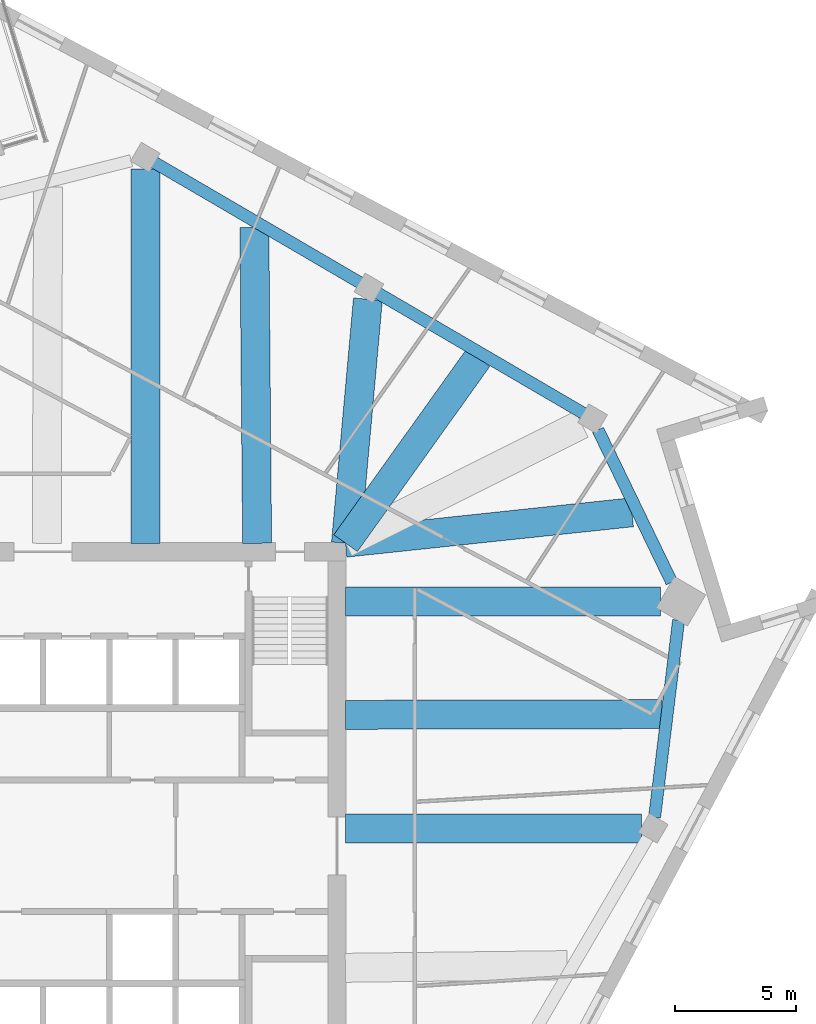
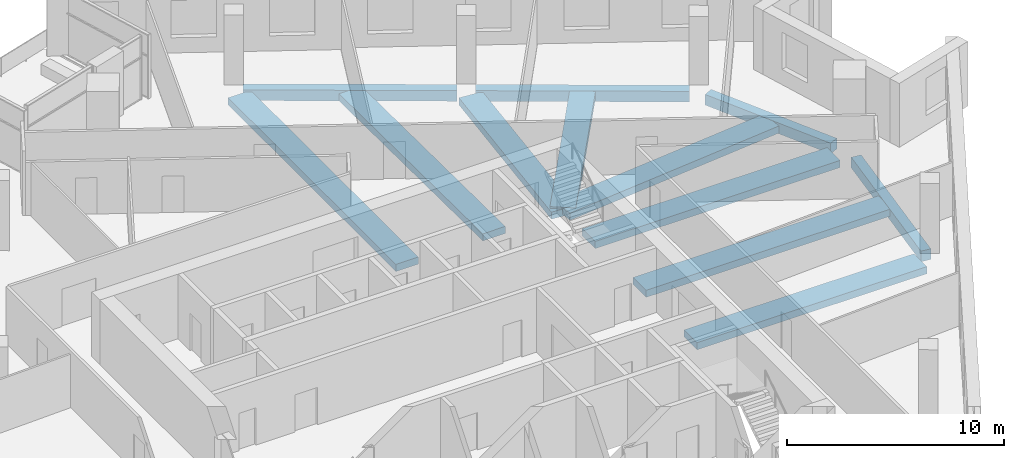
# One storey, part 3 of 13: 12 beams.
"""IFC4 building model written with IfcOpenShell, lengths in metres."""

from ifc_helpers import new_model, si_unit, direction, frame, origin, origin_2d, place, context, subcontext, project, spatial, rectangle, extrude, material, material_profile, profile_set, type_object, element, save


model = new_model("IFC4")

# Units and contexts
model_context = context("Model", 3, precision=1e-05, world=origin(), true_north=direction((0.0, 1.0)))
body_context = subcontext(model_context, "Body", "Model", "MODEL_VIEW")
ifc_project = project(units=[si_unit("LENGTHUNIT", "METRE"), si_unit("AREAUNIT", "SQUARE_METRE"), si_unit("VOLUMEUNIT", "CUBIC_METRE"), si_unit("PLANEANGLEUNIT", "RADIAN"), si_unit("MASSUNIT", "GRAM", prefix="KILO")], contexts=[model_context])

# Site, building, storey
site_placement = place(None, origin())
site = spatial("IfcSite", under=ifc_project, at=site_placement, CompositionType="ELEMENT")
building_placement = place(site_placement, origin())
building = spatial("IfcBuilding", under=site, at=building_placement, Name="Dilmun Exchange Tower", CompositionType="ELEMENT")
storey_placement = place(building_placement, frame((0.0, 0.0, 278.89990234375)))
storey = spatial("IfcBuildingStorey", under=building, at=storey_placement, Name="L66", CompositionType="ELEMENT", Elevation=278.89990234375)

# Beams
ifc_material = material(Name="Concrete C40/50", Category="concrete")
ifc_material_profile_1 = material_profile(ifc_material, rectangle(XDim=1.199951171875, YDim=0.39990234375, at=origin_2d()), Name="1200 x 400")
ifc_profile_set_1 = profile_set([ifc_material_profile_1], Name="Concrete C40/50")
beam_type_1 = type_object("IfcBeamType", Name="RC band beam 1200 x 400 C40/50", PredefinedType="BEAM", material=ifc_profile_set_1)
beam_1_placement = place(storey_placement, frame((24.773681640625, 0.721923828125, -0.659912109375), z_axis=(-1.0, 0.0, 0.0), x_axis=(0.0, -1.0, 0.0)))
element("IfcBeam", 1, at=beam_1_placement, inside=storey, type_object=beam_type_1, Name="Band beam 12", PredefinedType="BEAM", context=body_context, shape_type="SweptSolid", body=[
    extrude(rectangle(XDim=1.199951171875, YDim=0.39990234375, at=origin_2d()), origin(), (0.0, 0.0, 1.0), 12.250732421875),
])
beam_2_placement = place(storey_placement, frame((25.5732421875, 10.1220703125, -0.659912109375), z_axis=(-1.0, 0.0, 0.0), x_axis=(0.0, -1.0, 0.0)))
element("IfcBeam", 2, at=beam_2_placement, inside=storey, type_object=beam_type_1, Name="Band beam 13", PredefinedType="BEAM", context=body_context, shape_type="SweptSolid", body=[
    extrude(rectangle(XDim=1.199951171875, YDim=0.39990234375, at=origin_2d()), origin(), (0.0, 0.0, 1.0), 13.05029296875),
])
beam_3_placement = place(storey_placement, frame((13.456787109375, 22.625732421875, -0.659912109375), z_axis=(-0.089632924375, -0.995974868593, 0.0), x_axis=(0.995974868593, -0.089632924375, 0.0)))
element("IfcBeam", 3, at=beam_3_placement, inside=storey, type_object=beam_type_1, Name="Band beam 15", PredefinedType="BEAM", context=body_context, shape_type="SweptSolid", body=[
    extrude(rectangle(XDim=1.199951171875, YDim=0.39990234375, at=origin_2d()), origin(), (0.0, 0.0, 1.0), 10.143310546875),
])
beam_4_placement = place(storey_placement, frame((4.239990234375, 28.01171875, -0.659912109375), z_axis=(0.0, -1.0, 0.0), x_axis=(1.0, 0.0, 0.0)))
element("IfcBeam", 4, at=beam_4_placement, inside=storey, type_object=beam_type_1, Name="Band beam 16", PredefinedType="BEAM", context=body_context, shape_type="SweptSolid", body=[
    extrude(rectangle(XDim=1.199951171875, YDim=0.39990234375, at=origin_2d()), origin(), (0.0, 0.0, 1.0), 15.48876953125),
])
beam_5_placement = place(storey_placement, frame((25.6201171875, 5.448974609375, -0.559814453125), z_axis=(-0.999997897774, -0.002050474756, 0.0), x_axis=(0.002050474756, -0.999997897774, 0.0)))
element("IfcBeam", 5, at=beam_5_placement, inside=storey, type_object=beam_type_1, Name="Band beam 28", PredefinedType="BEAM", context=body_context, shape_type="SweptSolid", body=[
    extrude(rectangle(XDim=1.199951171875, YDim=0.39990234375, at=origin_2d()), origin(), (0.0, 0.0, 1.0), 13.09716796875),
])
beam_6_placement = place(storey_placement, frame((24.3857421875, 13.804931640625, -0.559814453125), z_axis=(-0.994425543871, -0.105441157505, 0.0), x_axis=(0.105441157505, -0.994425543871, 0.0)))
element("IfcBeam", 6, at=beam_6_placement, inside=storey, type_object=beam_type_1, Name="Band beam 29", PredefinedType="BEAM", context=body_context, shape_type="SweptSolid", body=[
    extrude(rectangle(XDim=1.199951171875, YDim=0.39990234375, at=origin_2d()), origin(), (0.0, 0.0, 1.0), 11.928955078125),
])
beam_7_placement = place(storey_placement, frame((18.01611328125, 20.195556640625, -0.559814453125), z_axis=(-0.581600762294, -0.81347437163, 0.0), x_axis=(0.81347437163, -0.581600762294, 0.0)))
element("IfcBeam", 7, at=beam_7_placement, inside=storey, type_object=beam_type_1, Name="Band beam 30", PredefinedType="BEAM", context=body_context, shape_type="SweptSolid", body=[
    extrude(rectangle(XDim=1.199951171875, YDim=0.39990234375, at=origin_2d()), origin(), (0.0, 0.0, 1.0), 9.425537109375),
])
beam_8_placement = place(storey_placement, frame((8.757080078125, 25.607421875, -0.559814453125), z_axis=(0.008582734208, -0.999963167658, 0.0), x_axis=(0.999963167658, 0.008582734208, 0.0)))
element("IfcBeam", 8, at=beam_8_placement, inside=storey, type_object=beam_type_1, Name="Band beam 31", PredefinedType="BEAM", context=body_context, shape_type="SweptSolid", body=[
    extrude(rectangle(XDim=1.199951171875, YDim=0.39990234375, at=origin_2d()), origin(), (0.0, 0.0, 1.0), 13.0849609375),
])
ifc_material_profile_2 = material_profile(ifc_material, rectangle(XDim=0.5, YDim=0.60009765625, at=origin_2d()), Name="500 x 600")
ifc_profile_set_2 = profile_set([ifc_material_profile_2], Name="Concrete C40/50")
beam_type_2 = type_object("IfcBeamType", Name="RC ring beam 500 x 600 C40/50", PredefinedType="SPANDREL", material=ifc_profile_set_2)
beam_9_placement = place(storey_placement, frame((25.32421875, 1.181640625, -0.659912109375), z_axis=(0.121108645076, 0.992639257781, 0.0), x_axis=(-0.992639257781, 0.121108645076, 0.0)))
element("IfcBeam", 9, at=beam_9_placement, inside=storey, type_object=beam_type_2, Name="Ring beam 12", PredefinedType="SPANDREL", context=body_context, shape_type="SweptSolid", body=[
    extrude(rectangle(XDim=0.5, YDim=0.60009765625, at=origin_2d()), origin(), (0.0, 0.0, 1.0), 8.216796875),
])
beam_10_placement = place(storey_placement, frame((26.033447265625, 10.910888671875, -0.659912109375), z_axis=(-0.435439794363, 0.900217854458, 0.0), x_axis=(-0.900217854458, -0.435439794363, 0.0)))
element("IfcBeam", 10, at=beam_10_placement, inside=storey, type_object=beam_type_2, Name="Ring beam 13", PredefinedType="SPANDREL", context=body_context, shape_type="SweptSolid", body=[
    extrude(rectangle(XDim=0.5, YDim=0.60009765625, at=origin_2d()), origin(), (0.0, 0.0, 1.0), 7.0068359375),
])
beam_11_placement = place(storey_placement, frame((22.392822265625, 17.8955078125, -0.659912109375), z_axis=(-0.863333071594, 0.504634528637, 0.0), x_axis=(-0.504634528637, -0.863333071594, 0.0)))
element("IfcBeam", 11, at=beam_11_placement, inside=storey, type_object=beam_type_2, Name="Ring beam 14", PredefinedType="SPANDREL", context=body_context, shape_type="SweptSolid", body=[
    extrude(rectangle(XDim=0.5, YDim=0.60009765625, at=origin_2d()), origin(), (0.0, 0.0, 1.0), 9.878662109375),
])
beam_12_placement = place(storey_placement, frame((13.1337890625, 23.3076171875, -0.659912109375), z_axis=(-0.863343838609, 0.504616107884, 0.0), x_axis=(-0.504616107884, -0.863343838609, 0.0)))
element("IfcBeam", 12, at=beam_12_placement, inside=storey, type_object=beam_type_2, Name="Ring beam 15", PredefinedType="SPANDREL", context=body_context, shape_type="SweptSolid", body=[
    extrude(rectangle(XDim=0.5, YDim=0.60009765625, at=origin_2d()), origin(), (0.0, 0.0, 1.0), 9.87841796875),
])

save(model, "model.ifc")
